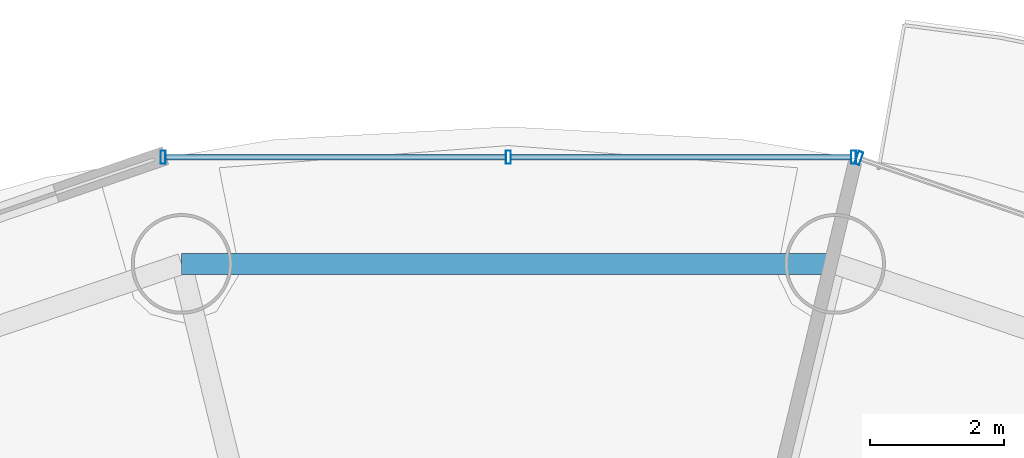
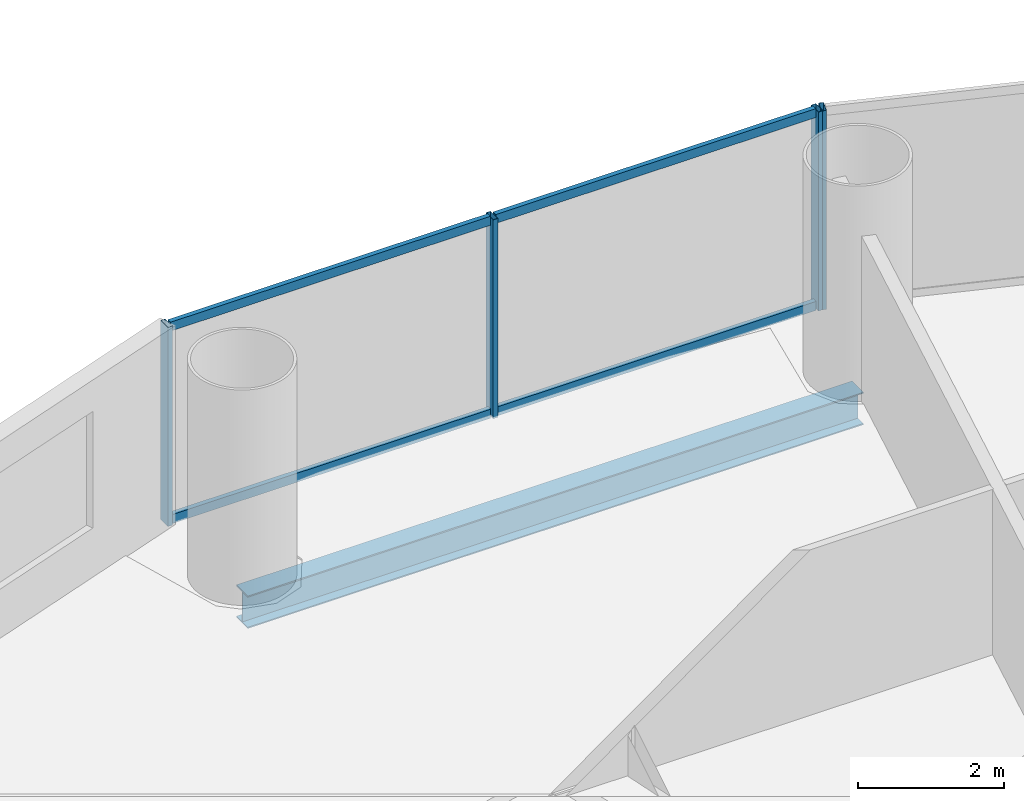
# One storey, part 18 of 29: 8 members, 1 beam, 2 elements without a shape of their own.
"""IFC4 building model written with IfcOpenShell, lengths in metres."""

import ifcopenshell
import ifcopenshell.guid

model = None  # the IFC model being written
_history = None  # IfcOwnerHistory: only IFC2X3 demands one
_inside = {}  # id of a spatial element -> (the spatial element, [elements in it])
_under = {}  # id of a project, library or spatial element -> (it, [spatial elements below it])
_declared = {}  # id of a project -> (the project, [libraries it declares])
_typed = {}  # id of a type object -> (the type object, [elements of that type])
_made_of = {}  # id of a material, layer set ... -> (it, [elements and type objects made of it])


def new_model(schema):
    """Start an empty IFC model of exactly this schema.

    Asked for "IFC4X3", IfcOpenShell would pick the latest addendum, in which some entities
    have other attributes; the version numbers below select the first issue.
    IFC2X3 requires an IfcOwnerHistory on every rooted entity: one is made here for all.
    """
    global model, _history
    if schema == "IFC4X3":
        model = ifcopenshell.file(schema_version=(4, 3, 0, 0))
    else:
        model = ifcopenshell.file(schema=schema)
    _inside.clear()
    _under.clear()
    _declared.clear()
    _typed.clear()
    _made_of.clear()
    _history = None
    if model.schema == "IFC2X3":
        org = make("IfcOrganization", Name="unknown")
        user = make(
            "IfcPersonAndOrganization",
            ThePerson=make("IfcPerson", FamilyName="unknown"),
            TheOrganization=org,
        )
        app = make(
            "IfcApplication",
            ApplicationDeveloper=org,
            Version="unknown",
            ApplicationFullName="unknown",
            ApplicationIdentifier="unknown",
        )
        _history = make(
            "IfcOwnerHistory",
            OwningUser=user,
            OwningApplication=app,
            ChangeAction="ADDED",
            CreationDate=0,
        )
    return model


def make(cls, **values):
    """One entity of the class cls with the attributes given. An attribute that is None is left unset."""
    return model.create_entity(
        cls, **{name: value for name, value in values.items() if value is not None}
    )


def rooted(cls, **values):
    """An entity with a GlobalId (a new one), such as an element, a storey or a relation."""
    return make(cls, GlobalId=ifcopenshell.guid.new(), OwnerHistory=_history, **values)


def si_unit(unit_type, name, prefix=None):
    """IfcSIUnit, for example si_unit("LENGTHUNIT", "METRE", prefix="MILLI")."""
    return make("IfcSIUnit", UnitType=unit_type, Prefix=prefix, Name=name)


def assignment(units):
    """IfcUnitAssignment: the units of a project."""
    return None if units is None else make("IfcUnitAssignment", Units=units)


def point(xyz):
    """IfcCartesianPoint."""
    return None if xyz is None else make("IfcCartesianPoint", Coordinates=xyz)


def direction(xyz):
    """IfcDirection."""
    return None if xyz is None else make("IfcDirection", DirectionRatios=xyz)


def frame(location, z_axis=None, x_axis=None):
    """IfcAxis2Placement3D, a coordinate frame: its origin and axes. An axis left out is left unset."""
    return make(
        "IfcAxis2Placement3D",
        Location=point(location),
        Axis=direction(z_axis),
        RefDirection=direction(x_axis),
    )


def frame_2d(location, x_axis=None):
    """IfcAxis2Placement2D, a coordinate frame in the plane: its origin and x axis."""
    return make(
        "IfcAxis2Placement2D", Location=point(location), RefDirection=direction(x_axis)
    )


def origin():
    """The frame at (0, 0, 0) with its axes left unset."""
    return frame((0.0, 0.0, 0.0))


def origin_2d():
    """The frame at (0, 0) in the plane with its x axis left unset."""
    return frame_2d((0.0, 0.0))


def place(relative_to, where):
    """IfcLocalPlacement: puts the frame where relative to a parent placement (None: the world)."""
    return make(
        "IfcLocalPlacement", PlacementRelTo=relative_to, RelativePlacement=where
    )


def context(
    kind, dimensions, precision=None, world=None, true_north=None, identifier=None
):
    """IfcGeometricRepresentationContext, for example the 3D "Model" context."""
    return make(
        "IfcGeometricRepresentationContext",
        ContextIdentifier=identifier,
        ContextType=kind,
        CoordinateSpaceDimension=dimensions,
        Precision=precision,
        WorldCoordinateSystem=world,
        TrueNorth=true_north,
    )


def subcontext(parent, identifier, kind, view, scale=None):
    """IfcGeometricRepresentationSubContext, for example "Body" below "Model"."""
    return make(
        "IfcGeometricRepresentationSubContext",
        ContextIdentifier=identifier,
        ContextType=kind,
        ParentContext=parent,
        TargetScale=scale,
        TargetView=view,
    )


def project(units=None, contexts=None):
    """IfcProject with its units and contexts."""
    return rooted(
        "IfcProject",
        Name="project",
        RepresentationContexts=contexts,
        UnitsInContext=assignment(units),
    )


def spatial(cls, under=None, at=None, **own):
    """A site, building, storey or space (cls), placed at a placement, below another one or the project."""
    s = rooted(cls, ObjectPlacement=at, **own)
    if under is not None:
        _under.setdefault(under.id(), (under, []))[1].append(s)
    return s


def profile(cls, at=None, kind="AREA", **sizes):
    """A parametric profile (cls). Its sizes go by their IFC names, for example OverallWidth=200.0."""
    return make(cls, ProfileType=kind, Position=at, **sizes)


def hollow_rectangle(**sizes):
    """IfcRectangleHollowProfileDef."""
    return profile("IfcRectangleHollowProfileDef", **sizes)


def i_section(**sizes):
    """IfcIShapeProfileDef."""
    return profile("IfcIShapeProfileDef", **sizes)


def extrude(swept, where, along, depth):
    """IfcExtrudedAreaSolid: the profile swept, set in the frame where, extruded along a direction by depth."""
    return make(
        "IfcExtrudedAreaSolid",
        SweptArea=swept,
        Position=where,
        ExtrudedDirection=direction(along),
        Depth=depth,
    )


def shape(context_of_items, identifier, shape_type, items):
    """IfcShapeRepresentation: the items that make up one representation, for example the "Body"."""
    return make(
        "IfcShapeRepresentation",
        ContextOfItems=context_of_items,
        RepresentationIdentifier=identifier,
        RepresentationType=shape_type,
        Items=items,
    )


def source(mapping_origin, context_of_items, identifier, shape_type, items):
    """IfcRepresentationMap: a shape defined once, which mapped items show again and again."""
    return make(
        "IfcRepresentationMap",
        MappingOrigin=mapping_origin,
        MappedRepresentation=shape(context_of_items, identifier, shape_type, items),
    )


def transform(
    local_origin,
    x_axis=None,
    y_axis=None,
    z_axis=None,
    scale=None,
    scale2=None,
    scale3=None,
    uniform=True,
):
    """IfcCartesianTransformationOperator3D, or its non-uniform kind. x_axis, y_axis, z_axis: its Axis1, 2, 3."""
    if uniform:
        return make(
            "IfcCartesianTransformationOperator3D",
            Axis1=direction(x_axis),
            Axis2=direction(y_axis),
            LocalOrigin=point(local_origin),
            Scale=scale,
            Axis3=direction(z_axis),
        )
    return make(
        "IfcCartesianTransformationOperator3DnonUniform",
        Axis1=direction(x_axis),
        Axis2=direction(y_axis),
        LocalOrigin=point(local_origin),
        Scale=scale,
        Axis3=direction(z_axis),
        Scale2=scale2,
        Scale3=scale3,
    )


def mapped(mapping_source, mapping_target):
    """IfcMappedItem: shows the shape of a source again, moved by a transform."""
    return make(
        "IfcMappedItem", MappingSource=mapping_source, MappingTarget=mapping_target
    )


def material(Name=None, Category=None):
    """IfcMaterial."""
    return make("IfcMaterial", Name=Name, Category=Category)


def material_profile(
    of_material, cross_section, Name=None, Category=None, Priority=None
):
    """IfcMaterialProfile: a cross section and its material."""
    return make(
        "IfcMaterialProfile",
        Name=Name,
        Material=of_material,
        Profile=cross_section,
        Priority=Priority,
        Category=Category,
    )


def profile_set(profiles, Name=None, composite=None):
    """IfcMaterialProfileSet."""
    return make(
        "IfcMaterialProfileSet",
        Name=Name,
        MaterialProfiles=profiles,
        CompositeProfile=composite,
    )


def made_of(thing, what):
    """Note that an element or type object is made of a material, layer set ...; save() writes the relation."""
    if what is not None:
        _made_of.setdefault(what.id(), (what, []))[1].append(thing)
    return thing


def type_object(cls, material=None, **own):
    """A type object (cls), such as IfcWallType, which elements share."""
    return made_of(rooted(cls, **own), material)


def element(
    cls,
    number,
    at=None,
    inside=None,
    cuts=None,
    type_object=None,
    material=None,
    context=None,
    identifier="Body",
    shape_type=None,
    held_by="IfcProductDefinitionShape",
    body=None,
    shapes=None,
    **own,
):
    """One element of the class cls, such as IfcWall. Its Tag is "e" and its number.

    at: its placement. inside: the storey or other place that contains it. cuts: it is an
    opening in that element (IfcRelVoidsElement). A single representation is given by context,
    identifier, shape_type and body (its items); several are given by shapes. held_by: the class
    of the entity that holds the representations. save() writes the other relations.
    """
    e = rooted(cls, Tag="e%d" % number, ObjectPlacement=at, **own)
    if body is not None:
        shapes = [shape(context, identifier, shape_type, body)]
    if shapes is not None:
        e.Representation = make(held_by, Representations=shapes)
    if inside is not None:
        _inside.setdefault(inside.id(), (inside, []))[1].append(e)
    if cuts is not None:
        rooted(
            "IfcRelVoidsElement", RelatingBuildingElement=cuts, RelatedOpeningElement=e
        )
    if type_object is not None:
        _typed.setdefault(type_object.id(), (type_object, []))[1].append(e)
    return made_of(e, material)


def aggregate(whole, parts):
    """IfcRelAggregates: a whole, such as a stair, and the parts it consists of."""
    return rooted("IfcRelAggregates", RelatingObject=whole, RelatedObjects=parts)


def save(model, path):
    """Write the relations noted so far, then the file.

    IfcRelAggregates (storeys below a building ...), IfcRelContainedInSpatialStructure (elements
    in a storey), IfcRelDefinesByType, IfcRelAssociatesMaterial and IfcRelDeclares: one each for
    every whole, place, type object, material and project.
    """
    for whole, parts in _under.values():
        aggregate(whole, parts)
    for where, things in _inside.values():
        rooted(
            "IfcRelContainedInSpatialStructure",
            RelatedElements=things,
            RelatingStructure=where,
        )
    for kind, things in _typed.values():
        rooted("IfcRelDefinesByType", RelatedObjects=things, RelatingType=kind)
    for what, things in _made_of.values():
        rooted("IfcRelAssociatesMaterial", RelatedObjects=things, RelatingMaterial=what)
    for by, libraries in _declared.values():
        rooted("IfcRelDeclares", RelatingContext=by, RelatedDefinitions=libraries)
    model.write(path)


model = new_model("IFC4")

# Units and contexts
model_context = context("Model", 3, precision=1e-05, world=origin(), true_north=direction((-0.2419218956, 0.970295726276)))
body_context = subcontext(model_context, "Body", "Model", "MODEL_VIEW")
ifc_project = project(units=[si_unit("LENGTHUNIT", "METRE"), si_unit("AREAUNIT", "SQUARE_METRE"), si_unit("VOLUMEUNIT", "CUBIC_METRE"), si_unit("PLANEANGLEUNIT", "RADIAN"), si_unit("MASSUNIT", "GRAM", prefix="KILO")], contexts=[model_context])

# Site, building, storey
site_placement = place(None, origin())
site = spatial("IfcSite", under=ifc_project, at=site_placement, CompositionType="ELEMENT")
building_placement = place(site_placement, origin())
building = spatial("IfcBuilding", under=site, at=building_placement, Name="Cobrevalo Terracotta Tower", CompositionType="ELEMENT")
storey_placement = place(building_placement, frame((0.0, 0.0, 123.0)))
storey = spatial("IfcBuildingStorey", under=building, at=storey_placement, Name="L32", CompositionType="ELEMENT", Elevation=123.0)

# Beam
ifc_material_1 = material(Name="Steel S355", Category="steel")
ifc_material_profile_1 = material_profile(ifc_material_1, i_section(OverallWidth=0.31201171875, OverallDepth=0.54296875, WebThickness=0.0126953125, FlangeThickness=0.020263671875, at=origin_2d()), Name="W 530x150")
ifc_profile_set_1 = profile_set([ifc_material_profile_1], Name="Steel S355")
beam_type = type_object("IfcBeamType", Name="Structural Spandrel W 530x150 (Steel S355)", PredefinedType="SPANDREL", material=ifc_profile_set_1)
beam_placement = place(storey_placement, frame((42.867431640625, 46.857177734375, -0.54638671875), z_axis=(-1.0, 0.0, 0.0), x_axis=(0.0, -1.0, 0.0)))
element("IfcBeam", 1, at=beam_placement, inside=storey, type_object=beam_type, Name="L32 perimeter ring spandrel 04", PredefinedType="SPANDREL", context=body_context, shape_type="SweptSolid", body=[
    extrude(i_section(OverallWidth=0.31201171875, OverallDepth=0.54296875, WebThickness=0.0126953125, FlangeThickness=0.020263671875, at=origin_2d()), origin(), (0.0, 0.0, 1.0), 9.73486328125),
])

# Curtain wall, member
ifc_material_2 = material(Name="Anodized aluminium", Category="aluminium")
curtain_wall_type = type_object("IfcCurtainWallType", Name="Lower-tower unitised acoustic low-E curtain wall CW-U1", PredefinedType="NOTDEFINED", material=ifc_material_2)
curtain_wall_1_placement = place(storey_placement, origin())
curtain_wall_1 = element("IfcCurtainWall", 2, at=curtain_wall_1_placement, inside=storey, type_object=curtain_wall_type, Name="L32 curtain wall CW-L32-S03", PredefinedType="NOTDEFINED")
ifc_material_profile_2 = material_profile(ifc_material_2, hollow_rectangle(XDim=0.074951171875, YDim=0.199951171875, WallThickness=0.0048828125, at=origin_2d()), Name="CWM 75x200")
ifc_profile_set_2 = profile_set([ifc_material_profile_2], Name="Anodized aluminium")
member_type_1 = type_object("IfcMemberType", Name="Lower/mid tower unitised mullion 75x200", PredefinedType="MULLION", material=ifc_profile_set_2)
shared_shape_1 = source(origin(), body_context, "Body", "SweptSolid", [
    extrude(hollow_rectangle(XDim=0.074951171875, YDim=0.199951171875, WallThickness=0.0048828125, at=origin_2d()), origin(), (0.0, 0.0, 1.0), 3.324951171875),
])
member_1_placement = place(storey_placement, frame((43.221435546875, 48.432861328125, 0.0), z_axis=(0.0, 0.0, 1.0), x_axis=(-0.94559809868, 0.325337110968, 0.0)))
member_1 = element("IfcMember", 3, at=member_1_placement, type_object=member_type_1, Name="CW-L32-S03 vertical mullion 03", PredefinedType="MULLION", context=body_context, shape_type="MappedRepresentation", body=[
    mapped(shared_shape_1, transform((0.0, 0.0, 0.0), scale=1.0)),
])
aggregate(curtain_wall_1, [member_1])

# Curtain wall, members
curtain_wall_2_placement = place(storey_placement, origin())
curtain_wall_2 = element("IfcCurtainWall", 4, at=curtain_wall_2_placement, inside=storey, type_object=curtain_wall_type, Name="L32 curtain wall CW-L32-S04", PredefinedType="NOTDEFINED")
member_2_placement = place(storey_placement, frame((43.1435546875, 48.446044921875, 0.0), z_axis=(0.0, 0.0, 1.0), x_axis=(-1.0, 0.0, 0.0)))
member_2 = element("IfcMember", 5, at=member_2_placement, type_object=member_type_1, Name="CW-L32-S04 vertical mullion 01", PredefinedType="MULLION", context=body_context, shape_type="MappedRepresentation", body=[
    mapped(shared_shape_1, transform((0.0, 0.0, 0.0), scale=1.0)),
])
member_3_placement = place(storey_placement, frame((38.0, 48.446044921875, 0.0), z_axis=(0.0, 0.0, 1.0), x_axis=(-1.0, 0.0, 0.0)))
member_3 = element("IfcMember", 6, at=member_3_placement, type_object=member_type_1, Name="CW-L32-S04 vertical mullion 02", PredefinedType="MULLION", context=body_context, shape_type="MappedRepresentation", body=[
    mapped(shared_shape_1, transform((0.0, 0.0, 0.0), scale=1.0)),
])
member_4_placement = place(storey_placement, frame((32.8564453125, 48.446044921875, 0.0), z_axis=(0.0, 0.0, 1.0), x_axis=(-1.0, 0.0, 0.0)))
member_4 = element("IfcMember", 7, at=member_4_placement, type_object=member_type_1, Name="CW-L32-S04 vertical mullion 03", PredefinedType="MULLION", context=body_context, shape_type="MappedRepresentation", body=[
    mapped(shared_shape_1, transform((0.0, 0.0, 0.0), scale=1.0)),
])
ifc_material_profile_3 = material_profile(ifc_material_2, hollow_rectangle(XDim=0.074951171875, YDim=0.14990234375, WallThickness=0.00439453125, at=origin_2d()), Name="CWT 75x150")
ifc_profile_set_3 = profile_set([ifc_material_profile_3], Name="Anodized aluminium")
member_type_2 = type_object("IfcMemberType", Name="Tower unitised aluminium transom 75x150", PredefinedType="USERDEFINED", material=ifc_profile_set_3)
shared_shape_2 = source(origin(), body_context, "Body", "SweptSolid", [
    extrude(hollow_rectangle(XDim=0.074951171875, YDim=0.14990234375, WallThickness=0.00439453125, at=origin_2d()), origin(), (0.0, 0.0, 1.0), 5.0634765625),
])
member_5_placement = place(storey_placement, frame((43.103515625, 48.446044921875, 0.050048828125), z_axis=(-1.0, 0.0, 0.0), x_axis=(0.0, -1.0, 0.0)))
member_5 = element("IfcMember", 8, at=member_5_placement, type_object=member_type_2, Name="CW-L32-S04 transom B01-T1", ObjectType="TRANSOM", PredefinedType="USERDEFINED", context=body_context, shape_type="MappedRepresentation", body=[
    mapped(shared_shape_2, transform((0.0, 0.0, 0.0), scale=1.0)),
])
member_6_placement = place(storey_placement, frame((43.103515625, 48.446044921875, 3.27490234375), z_axis=(-1.0, 0.0, 0.0), x_axis=(0.0, -1.0, 0.0)))
member_6 = element("IfcMember", 9, at=member_6_placement, type_object=member_type_2, Name="CW-L32-S04 transom B01-T2", ObjectType="TRANSOM", PredefinedType="USERDEFINED", context=body_context, shape_type="MappedRepresentation", body=[
    mapped(shared_shape_2, transform((0.0, 0.0, 0.0), scale=1.0)),
])
member_7_placement = place(storey_placement, frame((37.9599609375, 48.446044921875, 0.050048828125), z_axis=(-1.0, 0.0, 0.0), x_axis=(0.0, -1.0, 0.0)))
member_7 = element("IfcMember", 10, at=member_7_placement, type_object=member_type_2, Name="CW-L32-S04 transom B02-T1", ObjectType="TRANSOM", PredefinedType="USERDEFINED", context=body_context, shape_type="MappedRepresentation", body=[
    mapped(shared_shape_2, transform((0.0, 0.0, 0.0), scale=1.0)),
])
member_8_placement = place(storey_placement, frame((37.9599609375, 48.446044921875, 3.27490234375), z_axis=(-1.0, 0.0, 0.0), x_axis=(0.0, -1.0, 0.0)))
member_8 = element("IfcMember", 11, at=member_8_placement, type_object=member_type_2, Name="CW-L32-S04 transom B02-T2", ObjectType="TRANSOM", PredefinedType="USERDEFINED", context=body_context, shape_type="MappedRepresentation", body=[
    mapped(shared_shape_2, transform((0.0, 0.0, 0.0), scale=1.0)),
])
aggregate(curtain_wall_2, [member_2, member_3, member_4, member_5, member_6, member_7, member_8])

save(model, "model.ifc")
